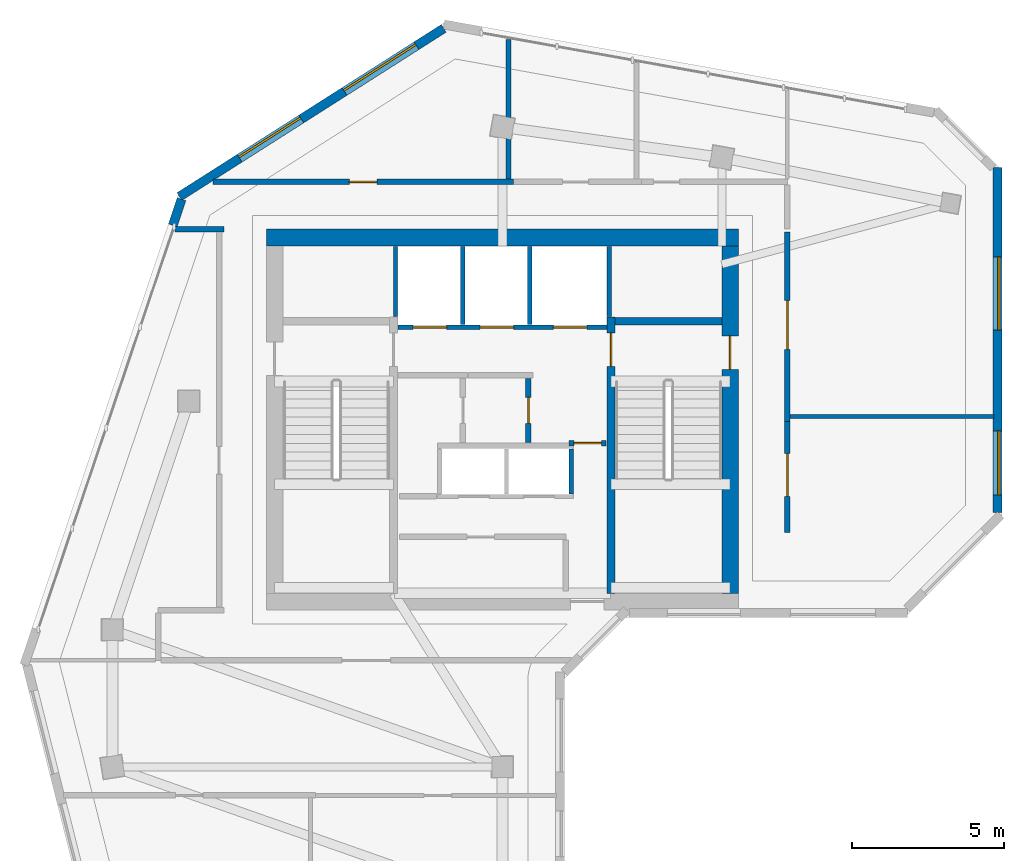
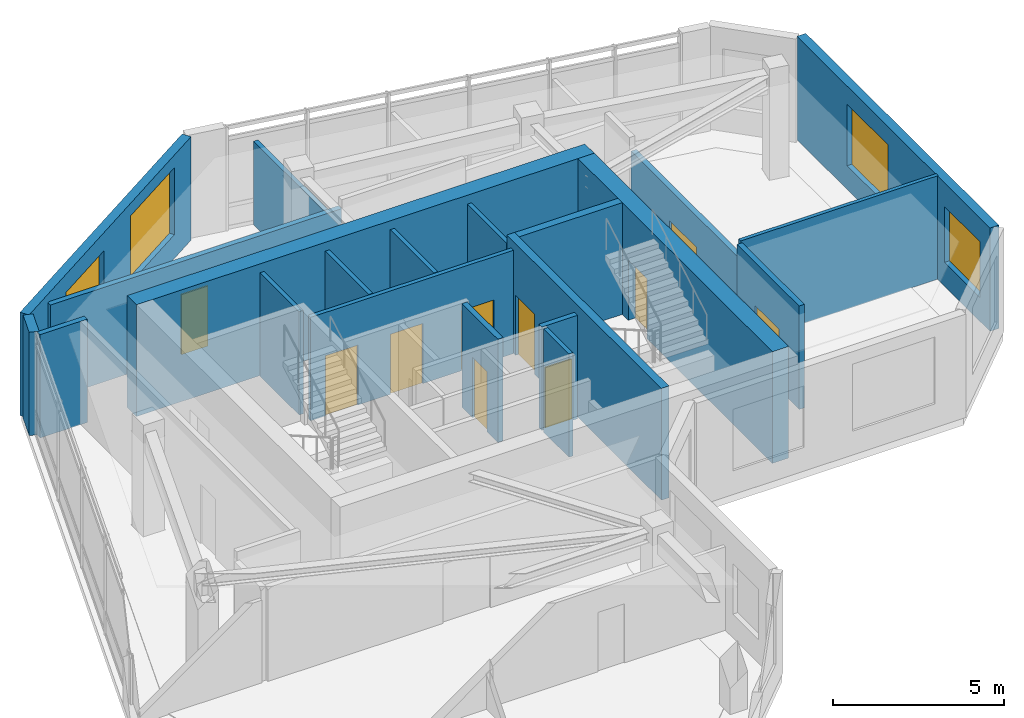
# One storey, part 4 of 8: 21 walls, 10 doors, 4 windows, 14 openings.
"""IFC4 building model written with IfcOpenShell, lengths in metres."""

from ifc_helpers import new_model, si_unit, direction, frame, frame_2d, origin, place, context, subcontext, project, spatial, rectangle, extrude, source, transform, mapped, material, layer, layer_set, type_object, element, fill, save


model = new_model("IFC4")

# Units and contexts
model_context = context("Model", 3, precision=1e-05, world=origin(), true_north=direction((0.0, 1.0)))
body_context = subcontext(model_context, "Body", "Model", "MODEL_VIEW")
ifc_project = project(units=[si_unit("LENGTHUNIT", "METRE"), si_unit("AREAUNIT", "SQUARE_METRE"), si_unit("VOLUMEUNIT", "CUBIC_METRE"), si_unit("PLANEANGLEUNIT", "RADIAN"), si_unit("MASSUNIT", "GRAM", prefix="KILO")], contexts=[model_context])

# Site, building, storey
site_placement = place(None, origin())
site = spatial("IfcSite", under=ifc_project, at=site_placement, CompositionType="ELEMENT")
building_placement = place(site_placement, origin())
building = spatial("IfcBuilding", under=site, at=building_placement, Name="Calvemar Wedge Station Tower", CompositionType="ELEMENT")
storey_placement = place(building_placement, frame((0.0, 0.0, 300.5)))
storey = spatial("IfcBuildingStorey", under=building, at=storey_placement, Name="L77", CompositionType="ELEMENT", Elevation=300.5)

# Wall, opening, door
ifc_material_1 = material(Name="Concrete C50", Category="concrete")
ifc_layer_1 = layer(ifc_material_1, 0.260009765625)
ifc_layer_set_1 = layer_set([ifc_layer_1], Name="Concrete C50")
wall_type_1 = type_object("IfcWallType", Name="SW-CORE-260", PredefinedType="SHEAR", material=ifc_layer_set_1)
wall_1_placement = place(storey_placement, frame((27.3701171875, 34.199951171875, 0.0), z_axis=(0.0, 0.0, 1.0), x_axis=(0.0, 1.0, 0.0)))
wall_1 = element("IfcWall", 1, at=wall_1_placement, inside=storey, type_object=wall_type_1, Name="Storey L77 Core Shear Wall SPINE-E", PredefinedType="SHEAR", context=body_context, shape_type="SweptSolid", body=[
    extrude(rectangle(XDim=9.06005859375, YDim=0.260009765625, at=frame_2d((4.530029296875, 0.0))), origin(), (0.0, 0.0, 1.0), 4.0),
])
shared_shape_1 = source(origin(), body_context, "Body", "SweptSolid", [
    extrude(rectangle(XDim=1.10009765625, YDim=2.14990234375, at=frame_2d((0.550048828125, 1.074951171875))), frame((0.0, 0.14013671875, 0.0), z_axis=(0.0, -1.0, 0.0), x_axis=(1.0, 0.0, 0.0)), (0.0, 0.0, 1.0), 0.280029296875),
])
opening_1_placement = place(wall_1_placement, frame((7.449951171875, 0.0, 0.0)))
opening_1 = element("IfcOpeningElement", 2, at=opening_1_placement, cuts=wall_1, Name="Opening FD-90", PredefinedType="OPENING", context=body_context, shape_type="MappedRepresentation", body=[
    mapped(shared_shape_1, transform((0.0, 0.0, 0.0), scale=1.0)),
])
ifc_material_2 = material(Name="Galvanized fire-rated steel door leaf P-90", Category="steel")
door_type_1 = type_object("IfcDoorType", Name="DR-FD90-1100", OperationType="NOTDEFINED", PredefinedType="DOOR", material=ifc_material_2)
shared_shape_2 = source(origin(), body_context, "Body", "SweptSolid", [
    extrude(rectangle(XDim=1.10009765625, YDim=2.14990234375, at=frame_2d((0.550048828125, 1.074951171875))), frame((0.0, 0.02490234375, 0.0), z_axis=(0.0, -1.0, 0.0), x_axis=(1.0, 0.0, 0.0)), (0.0, 0.0, 1.0), 0.050048828125),
])
door_1_placement = place(opening_1_placement, origin())
door_1 = element("IfcDoor", 3, at=door_1_placement, inside=storey, type_object=door_type_1, Name="L77 FF Lobby to Stair ST-C2 Door", OperationType="SINGLE_SWING_RIGHT", OverallHeight=2.14990234375, OverallWidth=1.10009765625, PredefinedType="DOOR", context=body_context, shape_type="MappedRepresentation", body=[
    mapped(shared_shape_2, transform((0.0, 0.0, 0.0), scale=1.0)),
])
fill(opening_1, door_1)

# Walls
wall_2_placement = place(storey_placement, frame((27.5, 43.1298828125, 0.0), z_axis=(0.0, 0.0, 1.0), x_axis=(1.0, 0.0, 0.0)))
element("IfcWall", 4, at=wall_2_placement, inside=storey, type_object=wall_type_1, Name="Storey L77 Core Shear Wall STC2-N", PredefinedType="SHEAR", context=body_context, shape_type="SweptSolid", body=[
    extrude(rectangle(XDim=3.5, YDim=0.260009765625, at=frame_2d((1.75, 0.0))), origin(), (0.0, 0.0, 1.0), 4.0),
])
ifc_material_3 = material(Name="Concrete C60", Category="concrete")
ifc_layer_2 = layer(ifc_material_3, 0.550048828125)
ifc_layer_set_2 = layer_set([ifc_layer_2], Name="Concrete C60")
wall_type_2 = type_object("IfcWallType", Name="SW-CORE-550", PredefinedType="SHEAR", material=ifc_layer_set_2)
wall_3_placement = place(storey_placement, frame((16.050048828125, 45.875, 0.0), z_axis=(0.0, 0.0, 1.0), x_axis=(1.0, 0.0, 0.0)))
element("IfcWall", 5, at=wall_3_placement, inside=storey, type_object=wall_type_2, Name="Storey L77 Core Shear Wall N", PredefinedType="SHEAR", context=body_context, shape_type="SweptSolid", body=[
    extrude(rectangle(XDim=15.5, YDim=0.550048828125, at=frame_2d((7.75, 0.0))), origin(), (0.0, 0.0, 1.0), 4.0),
])

# Wall, opening, door
wall_4_placement = place(storey_placement, frame((31.27490234375, 34.199951171875, 0.0), z_axis=(0.0, 0.0, 1.0), x_axis=(0.0, 1.0, 0.0)))
wall_4 = element("IfcWall", 6, at=wall_4_placement, inside=storey, type_object=wall_type_2, Name="Storey L77 Core Shear Wall E", PredefinedType="SHEAR", context=body_context, shape_type="SweptSolid", body=[
    extrude(rectangle(XDim=11.400146484375, YDim=0.550048828125, at=frame_2d((5.7001953125, 0.0))), origin(), (0.0, 0.0, 1.0), 4.0),
])
shared_shape_3 = source(origin(), body_context, "Body", "SweptSolid", [
    extrude(rectangle(XDim=1.10009765625, YDim=2.14990234375, at=frame_2d((0.550048828125, 1.074951171875))), frame((0.0, 0.28515625, 0.0), z_axis=(0.0, -1.0, 0.0), x_axis=(1.0, 0.0, 0.0)), (0.0, 0.0, 1.0), 0.570068359375),
])
opening_2_placement = place(wall_4_placement, frame((7.35009765625, 0.0, 0.0)))
opening_2 = element("IfcOpeningElement", 7, at=opening_2_placement, cuts=wall_4, Name="Opening FD-90", PredefinedType="OPENING", context=body_context, shape_type="MappedRepresentation", body=[
    mapped(shared_shape_3, transform((0.0, 0.0, 0.0), scale=1.0)),
])
door_2_placement = place(opening_2_placement, origin())
door_2 = element("IfcDoor", 8, at=door_2_placement, inside=storey, type_object=door_type_1, Name="L77 East Corridor to Exit Stair ST-C2 Door", OperationType="SINGLE_SWING_RIGHT", OverallHeight=2.14990234375, OverallWidth=1.10009765625, PredefinedType="DOOR", context=body_context, shape_type="MappedRepresentation", body=[
    mapped(shared_shape_2, transform((0.0, 0.0, 0.0), scale=1.0)),
])
fill(opening_2, door_2)

ifc_material_4 = material(Name="Double-stud fire-rated corridor partition")
ifc_layer_3 = layer(ifc_material_4, 0.179931640625)
ifc_layer_set_3 = layer_set([ifc_layer_3], Name="Double-stud fire-rated corridor partition")
wall_type_3 = type_object("IfcWallType", Name="W-CORR-180", PredefinedType="PARTITIONING", material=ifc_layer_set_3)
wall_5_placement = place(storey_placement, frame((24.64990234375, 41.256103515625, 0.0), z_axis=(0.0, 0.0, 1.0), x_axis=(0.0, -1.0, 0.0)))
wall_5 = element("IfcWall", 9, at=wall_5_placement, inside=storey, type_object=wall_type_3, Name="Storey L77 Interior Partition WL-L77-005", PredefinedType="PARTITIONING", context=body_context, shape_type="SweptSolid", body=[
    extrude(rectangle(XDim=2.106201171875, YDim=0.179931640625, at=frame_2d((1.05322265625, 0.0))), origin(), (0.0, 0.0, 1.0), 3.699951171875),
])
shared_shape_4 = source(origin(), body_context, "Body", "SweptSolid", [
    extrude(rectangle(XDim=0.85009765625, YDim=2.14990234375, at=frame_2d((0.425048828125, 1.074951171875))), frame((0.0, 0.10009765625, 0.0), z_axis=(0.0, -1.0, 0.0), x_axis=(1.0, 0.0, 0.0)), (0.0, 0.0, 1.0), 0.199951171875),
])
opening_3_placement = place(wall_5_placement, frame((0.6279296875, 0.0, 0.0)))
opening_3 = element("IfcOpeningElement", 10, at=opening_3_placement, cuts=wall_5, Name="Opening FD-60S", PredefinedType="OPENING", context=body_context, shape_type="MappedRepresentation", body=[
    mapped(shared_shape_4, transform((0.0, 0.0, 0.0), scale=1.0)),
])
ifc_material_5 = material(Name="Fire-rated steel and hardwood service door EI 60", Category="steel")
door_type_2 = type_object("IfcDoorType", Name="DR-CORE-FD60-850", OperationType="NOTDEFINED", PredefinedType="DOOR", material=ifc_material_5)
shared_shape_5 = source(origin(), body_context, "Body", "SweptSolid", [
    extrude(rectangle(XDim=0.85009765625, YDim=2.14990234375, at=frame_2d((0.425048828125, 1.074951171875))), frame((0.0, 0.02490234375, 0.0), z_axis=(0.0, -1.0, 0.0), x_axis=(1.0, 0.0, 0.0)), (0.0, 0.0, 1.0), 0.050048828125),
])
door_3_placement = place(opening_3_placement, origin())
door_3 = element("IfcDoor", 11, at=door_3_placement, inside=storey, type_object=door_type_2, Name="L77 Core Equipment Store Door", OperationType="SINGLE_SWING_LEFT", OverallHeight=2.14990234375, OverallWidth=0.85009765625, PredefinedType="DOOR", context=body_context, shape_type="MappedRepresentation", body=[
    mapped(shared_shape_5, transform((0.0, 0.0, 0.0), scale=1.0)),
])
fill(opening_3, door_3)

wall_6_placement = place(storey_placement, frame((27.199951171875, 39.1298828125, 0.0), z_axis=(0.0, 0.0, 1.0), x_axis=(-1.0, 0.0, 0.0)))
wall_6 = element("IfcWall", 12, at=wall_6_placement, inside=storey, type_object=wall_type_3, Name="Storey L77 Interior Partition WL-L77-006", PredefinedType="PARTITIONING", context=body_context, shape_type="SweptSolid", body=[
    extrude(rectangle(XDim=1.2099609375, YDim=0.179931640625, at=frame_2d((0.60498046875, 0.0))), origin(), (0.0, 0.0, 1.0), 3.699951171875),
])
shared_shape_6 = source(origin(), body_context, "Body", "SweptSolid", [
    extrude(rectangle(XDim=0.89990234375, YDim=2.14990234375, at=frame_2d((0.449951171875, 1.074951171875))), frame((0.0, 0.10009765625, 0.0), z_axis=(0.0, -1.0, 0.0), x_axis=(1.0, 0.0, 0.0)), (0.0, 0.0, 1.0), 0.199951171875),
])
opening_4_placement = place(wall_6_placement, frame((0.155029296875, 0.0, 0.0)))
opening_4 = element("IfcOpeningElement", 13, at=opening_4_placement, cuts=wall_6, Name="Opening FD-60", PredefinedType="OPENING", context=body_context, shape_type="MappedRepresentation", body=[
    mapped(shared_shape_6, transform((0.0, 0.0, 0.0), scale=1.0)),
])
ifc_material_6 = material(Name="Fire-rated acoustic timber-core entrance door EI 60", Category="wood")
door_type_3 = type_object("IfcDoorType", Name="DR-FD60-900", OperationType="NOTDEFINED", PredefinedType="DOOR", material=ifc_material_6)
shared_shape_7 = source(origin(), body_context, "Body", "SweptSolid", [
    extrude(rectangle(XDim=0.89990234375, YDim=2.14990234375, at=frame_2d((0.449951171875, 1.074951171875))), frame((0.0, 0.02490234375, 0.0), z_axis=(0.0, -1.0, 0.0), x_axis=(1.0, 0.0, 0.0)), (0.0, 0.0, 1.0), 0.050048828125),
])
door_4_placement = place(opening_4_placement, origin())
door_4 = element("IfcDoor", 14, at=door_4_placement, inside=storey, type_object=door_type_3, Name="L77 Core Service Lobby Door", OperationType="SINGLE_SWING_RIGHT", OverallHeight=2.14990234375, OverallWidth=0.89990234375, PredefinedType="DOOR", context=body_context, shape_type="MappedRepresentation", body=[
    mapped(shared_shape_7, transform((0.0, 0.0, 0.0), scale=1.0)),
])
fill(opening_4, door_4)

# Wall
wall_7_placement = place(storey_placement, frame((14.659912109375, 46.14990234375, 0.0), z_axis=(0.0, 0.0, 1.0), x_axis=(-1.0, 0.0, 0.0)))
element("IfcWall", 15, at=wall_7_placement, inside=storey, type_object=wall_type_3, Name="Storey L77 Interior Partition WL-L77-013", PredefinedType="PARTITIONING", context=body_context, shape_type="SweptSolid", body=[
    extrude(rectangle(XDim=1.602294921875, YDim=0.179931640625, at=frame_2d((0.80126953125, 0.0))), origin(), (0.0, 0.0, 1.0), 3.699951171875),
])

# Wall, opening, door
wall_8_placement = place(storey_placement, frame((14.29541015625, 47.699951171875, 0.0), z_axis=(0.0, 0.0, 1.0), x_axis=(1.0, 0.0, 0.0)))
wall_8 = element("IfcWall", 16, at=wall_8_placement, inside=storey, type_object=wall_type_3, Name="Storey L77 Interior Partition WL-L77-014", PredefinedType="PARTITIONING", context=body_context, shape_type="SweptSolid", body=[
    extrude(rectangle(XDim=9.864501953125, YDim=0.179931640625, at=frame_2d((4.93212890625, 0.0))), origin(), (0.0, 0.0, 1.0), 3.384033203125),
])
opening_5_placement = place(wall_8_placement, frame((4.482421875, 0.0, 0.0)))
opening_5 = element("IfcOpeningElement", 17, at=opening_5_placement, cuts=wall_8, Name="Opening D-01", PredefinedType="OPENING", context=body_context, shape_type="MappedRepresentation", body=[
    mapped(shared_shape_6, transform((0.0, 0.0, 0.0), scale=1.0)),
])
ifc_material_7 = material(Name="Architectural hardwood acoustic swing door", Category="wood")
door_type_4 = type_object("IfcDoorType", Name="DR-INT-900", OperationType="NOTDEFINED", PredefinedType="DOOR", material=ifc_material_7)
shared_shape_8 = source(origin(), body_context, "Body", "SweptSolid", [
    extrude(rectangle(XDim=0.89990234375, YDim=2.14990234375, at=frame_2d((0.449951171875, 1.074951171875))), frame((0.0, 0.02490234375, 0.0), z_axis=(0.0, -1.0, 0.0), x_axis=(1.0, 0.0, 0.0)), (0.0, 0.0, 1.0), 0.050048828125),
])
door_5_placement = place(opening_5_placement, origin())
door_5 = element("IfcDoor", 18, at=door_5_placement, inside=storey, type_object=door_type_4, Name="L77 Summit VIP Boardroom Door", OperationType="SINGLE_SWING_LEFT", OverallHeight=2.14990234375, OverallWidth=0.89990234375, PredefinedType="DOOR", context=body_context, shape_type="MappedRepresentation", body=[
    mapped(shared_shape_8, transform((0.0, 0.0, 0.0), scale=1.0)),
])
fill(opening_5, door_5)

wall_9_placement = place(storey_placement, frame((33.14990234375, 46.055908203125, 0.0), z_axis=(0.0, 0.0, 1.0), x_axis=(0.0, -1.0, 0.0)))
wall_9 = element("IfcWall", 19, at=wall_9_placement, inside=storey, type_object=wall_type_3, Name="Storey L77 Interior Partition WL-L77-018", PredefinedType="PARTITIONING", context=body_context, shape_type="SweptSolid", body=[
    extrude(rectangle(XDim=6.2158203125, YDim=0.179931640625, at=frame_2d((3.10791015625, 0.0))), origin(), (0.0, 0.0, 1.0), 3.27197265625),
])
shared_shape_9 = source(origin(), body_context, "Body", "SweptSolid", [
    extrude(rectangle(XDim=1.60009765625, YDim=2.14990234375, at=frame_2d((0.800048828125, 1.074951171875))), frame((0.0, 0.10009765625, 0.0), z_axis=(0.0, -1.0, 0.0), x_axis=(1.0, 0.0, 0.0)), (0.0, 0.0, 1.0), 0.199951171875),
])
opening_6_placement = place(wall_9_placement, frame((2.24658203125, 0.0, 0.0)))
opening_6 = element("IfcOpeningElement", 20, at=opening_6_placement, cuts=wall_9, Name="Opening DD-160", PredefinedType="OPENING", context=body_context, shape_type="MappedRepresentation", body=[
    mapped(shared_shape_9, transform((0.0, 0.0, 0.0), scale=1.0)),
])
ifc_material_8 = material(Name="Double-leaf fire-rated lobby door EI 60")
door_type_5 = type_object("IfcDoorType", Name="DR-DBL-1600", OperationType="DOUBLE_DOOR_SINGLE_SWING", PredefinedType="DOOR", material=ifc_material_8)
shared_shape_10 = source(origin(), body_context, "Body", "SweptSolid", [
    extrude(rectangle(XDim=1.60009765625, YDim=2.14990234375, at=frame_2d((0.800048828125, 1.074951171875))), frame((0.0, 0.02490234375, 0.0), z_axis=(0.0, -1.0, 0.0), x_axis=(1.0, 0.0, 0.0)), (0.0, 0.0, 1.0), 0.050048828125),
])
door_6_placement = place(opening_6_placement, origin())
door_6 = element("IfcDoor", 21, at=door_6_placement, inside=storey, type_object=door_type_5, Name="L77 Atlantic Summit Observatory Gallery Door", OperationType="SINGLE_SWING_RIGHT", OverallHeight=2.14990234375, OverallWidth=1.60009765625, PredefinedType="DOOR", context=body_context, shape_type="MappedRepresentation", body=[
    mapped(shared_shape_10, transform((0.0, 0.0, 0.0), scale=1.0)),
])
fill(opening_6, door_6)

wall_10_placement = place(storey_placement, frame((33.14990234375, 39.837890625, 0.0), z_axis=(0.0, 0.0, 1.0), x_axis=(0.0, -1.0, 0.0)))
wall_10 = element("IfcWall", 22, at=wall_10_placement, inside=storey, type_object=wall_type_3, Name="Storey L77 Interior Partition WL-L77-019", PredefinedType="PARTITIONING", context=body_context, shape_type="SweptSolid", body=[
    extrude(rectangle(XDim=3.637939453125, YDim=0.179931640625, at=frame_2d((1.81884765625, 0.0))), origin(), (0.0, 0.0, 1.0), 3.699951171875),
])
shared_shape_11 = source(origin(), body_context, "Body", "SweptSolid", [
    extrude(rectangle(XDim=1.39990234375, YDim=2.14990234375, at=frame_2d((0.699951171875, 1.074951171875))), frame((0.0, 0.10009765625, 0.0), z_axis=(0.0, -1.0, 0.0), x_axis=(1.0, 0.0, 0.0)), (0.0, 0.0, 1.0), 0.199951171875),
])
opening_7_placement = place(wall_10_placement, frame((1.054443359375, 0.0, 0.0)))
opening_7 = element("IfcOpeningElement", 23, at=opening_7_placement, cuts=wall_10, Name="Opening DD-140", PredefinedType="OPENING", context=body_context, shape_type="MappedRepresentation", body=[
    mapped(shared_shape_11, transform((0.0, 0.0, 0.0), scale=1.0)),
])
ifc_material_9 = material(Name="Double-leaf corridor acoustic fire door EI 60")
door_type_6 = type_object("IfcDoorType", Name="DR-DBL-1400", OperationType="DOUBLE_DOOR_SINGLE_SWING", PredefinedType="DOOR", material=ifc_material_9)
shared_shape_12 = source(origin(), body_context, "Body", "SweptSolid", [
    extrude(rectangle(XDim=1.39990234375, YDim=2.14990234375, at=frame_2d((0.699951171875, 1.074951171875))), frame((0.0, 0.02490234375, 0.0), z_axis=(0.0, -1.0, 0.0), x_axis=(1.0, 0.0, 0.0)), (0.0, 0.0, 1.0), 0.050048828125),
])
door_7_placement = place(opening_7_placement, origin())
door_7 = element("IfcDoor", 24, at=door_7_placement, inside=storey, type_object=door_type_6, Name="L77 Observatory Exhibition Shop Door", OperationType="SINGLE_SWING_LEFT", OverallHeight=2.14990234375, OverallWidth=1.39990234375, PredefinedType="DOOR", context=body_context, shape_type="MappedRepresentation", body=[
    mapped(shared_shape_12, transform((0.0, 0.0, 0.0), scale=1.0)),
])
fill(opening_7, door_7)

# Wall, openings, windows
ifc_material_10 = material(Name="Precast concrete C45", Category="concrete")
ifc_layer_4 = layer(ifc_material_10, 0.300048828125)
ifc_layer_set_4 = layer_set([ifc_layer_4], Name="Precast concrete C45")
wall_type_4 = type_object("IfcWallType", Name="W-EXT-GFRC-300", PredefinedType="SOLIDWALL", material=ifc_layer_set_4)
wall_11_placement = place(storey_placement, frame((40.050048828125, 36.857421875, 0.0), z_axis=(0.0, 0.0, 1.0), x_axis=(0.0, 1.0, 0.0)))
wall_11 = element("IfcWall", 25, at=wall_11_placement, inside=storey, type_object=wall_type_4, Name="Storey L77 Bronze GFRC Exterior Wall 8", PredefinedType="SOLIDWALL", context=body_context, shape_type="SweptSolid", body=[
    extrude(rectangle(XDim=11.318359375, YDim=0.300048828125, at=frame_2d((5.6591796875, 0.0))), origin(), (0.0, 0.0, 1.0), 3.699951171875),
])
shared_shape_13 = source(origin(), body_context, "Body", "SweptSolid", [
    extrude(rectangle(XDim=2.10009765625, YDim=2.0, at=frame_2d((1.050048828125, 1.0))), frame((0.0, 0.16015625, 0.0), z_axis=(0.0, -1.0, 0.0), x_axis=(1.0, 0.0, 0.0)), (0.0, 0.0, 1.0), 0.320068359375),
])
opening_8_placement = place(wall_11_placement, frame((0.571044921875, 0.0, 0.85009765625)))
opening_8 = element("IfcOpeningElement", 26, at=opening_8_placement, cuts=wall_11, Name="Opening W4", PredefinedType="OPENING", context=body_context, shape_type="MappedRepresentation", body=[
    mapped(shared_shape_13, transform((0.0, 0.0, 0.0), scale=1.0)),
])
shared_shape_14 = source(origin(), body_context, "Body", "SweptSolid", [
    extrude(rectangle(XDim=2.39990234375, YDim=2.199951171875, at=frame_2d((1.199951171875, 1.10009765625))), frame((0.0, 0.16015625, 0.0), z_axis=(0.0, -1.0, 0.0), x_axis=(1.0, 0.0, 0.0)), (0.0, 0.0, 1.0), 0.320068359375),
])
opening_9_placement = place(wall_11_placement, frame((5.98095703125, 0.0, 0.85009765625)))
opening_9 = element("IfcOpeningElement", 27, at=opening_9_placement, cuts=wall_11, Name="Opening W1", PredefinedType="OPENING", context=body_context, shape_type="MappedRepresentation", body=[
    mapped(shared_shape_14, transform((0.0, 0.0, 0.0), scale=1.0)),
])
ifc_material_11 = material(Name="Low-E laminated insulated glass", Category="glass")
window_type_1 = type_object("IfcWindowType", Name="WIN-EXT-4", PartitioningType="SINGLE_PANEL", PredefinedType="WINDOW", material=ifc_material_11)
shared_shape_15 = source(origin(), body_context, "Body", "SweptSolid", [
    extrude(rectangle(XDim=2.10009765625, YDim=2.0, at=frame_2d((1.050048828125, 1.0))), frame((0.0, -0.014892578125, 0.0), z_axis=(0.0, -1.0, 0.0), x_axis=(1.0, 0.0, 0.0)), (0.0, 0.0, 1.0), 0.06005859375),
])
window_1_placement = place(opening_8_placement, origin())
window_1 = element("IfcWindow", 28, at=window_1_placement, inside=storey, type_object=window_type_1, Name="Storey L77 Recessed Window 8.1", OverallHeight=2.0, OverallWidth=2.10009765625, PartitioningType="SINGLE_PANEL", PredefinedType="WINDOW", context=body_context, shape_type="MappedRepresentation", body=[
    mapped(shared_shape_15, transform((0.0, 0.0, 0.0), scale=1.0)),
])
fill(opening_8, window_1)
window_type_2 = type_object("IfcWindowType", Name="WIN-EXT-1", PartitioningType="SINGLE_PANEL", PredefinedType="WINDOW", material=ifc_material_11)
shared_shape_16 = source(origin(), body_context, "Body", "SweptSolid", [
    extrude(rectangle(XDim=2.39990234375, YDim=2.199951171875, at=frame_2d((1.199951171875, 1.10009765625))), frame((0.0, -0.014892578125, 0.0), z_axis=(0.0, -1.0, 0.0), x_axis=(1.0, 0.0, 0.0)), (0.0, 0.0, 1.0), 0.06005859375),
])
window_2_placement = place(opening_9_placement, origin())
window_2 = element("IfcWindow", 29, at=window_2_placement, inside=storey, type_object=window_type_2, Name="Storey L77 Recessed Window 8.2", OverallHeight=2.199951171875, OverallWidth=2.39990234375, PartitioningType="SINGLE_PANEL", PredefinedType="WINDOW", context=body_context, shape_type="MappedRepresentation", body=[
    mapped(shared_shape_16, transform((0.0, 0.0, 0.0), scale=1.0)),
])
fill(opening_9, window_2)

wall_12_placement = place(storey_placement, frame((21.872802734375, 52.7412109375, 0.0), z_axis=(0.0, 0.0, 1.0), x_axis=(-0.843661487732, -0.536875492193, 0.0)))
wall_12 = element("IfcWall", 30, at=wall_12_placement, inside=storey, type_object=wall_type_4, Name="Storey L77 Bronze GFRC Exterior Wall 11", PredefinedType="SOLIDWALL", context=body_context, shape_type="SweptSolid", body=[
    extrude(rectangle(XDim=10.28173828125, YDim=0.300048828125, at=frame_2d((5.140869140625, 0.0))), origin(), (0.0, 0.0, 1.0), 3.699951171875),
])
shared_shape_17 = source(origin(), body_context, "Body", "SweptSolid", [
    extrude(rectangle(XDim=2.800048828125, YDim=2.39990234375, at=frame_2d((1.39990234375, 1.199951171875))), frame((0.0, 0.16015625, 0.0), z_axis=(0.0, -1.0, 0.0), x_axis=(1.0, 0.0, 0.0)), (0.0, 0.0, 1.0), 0.320068359375),
])
opening_10_placement = place(wall_12_placement, frame((1.06005859375, 0.0, 0.85009765625)))
opening_10 = element("IfcOpeningElement", 31, at=opening_10_placement, cuts=wall_12, Name="Opening W6", PredefinedType="OPENING", context=body_context, shape_type="MappedRepresentation", body=[
    mapped(shared_shape_17, transform((0.0, 0.0, 0.0), scale=1.0)),
])
opening_11_placement = place(wall_12_placement, frame((5.5390625, 0.0, 0.85009765625)))
opening_11 = element("IfcOpeningElement", 32, at=opening_11_placement, cuts=wall_12, Name="Opening W1", PredefinedType="OPENING", context=body_context, shape_type="MappedRepresentation", body=[
    mapped(shared_shape_14, transform((0.0, 0.0, 0.0), scale=1.0)),
])
window_type_3 = type_object("IfcWindowType", Name="WIN-EXT-6", PartitioningType="SINGLE_PANEL", PredefinedType="WINDOW", material=ifc_material_11)
shared_shape_18 = source(origin(), body_context, "Body", "SweptSolid", [
    extrude(rectangle(XDim=2.800048828125, YDim=2.39990234375, at=frame_2d((1.39990234375, 1.199951171875))), frame((0.0, -0.014892578125, 0.0), z_axis=(0.0, -1.0, 0.0), x_axis=(1.0, 0.0, 0.0)), (0.0, 0.0, 1.0), 0.06005859375),
])
window_3_placement = place(opening_10_placement, origin())
window_3 = element("IfcWindow", 33, at=window_3_placement, inside=storey, type_object=window_type_3, Name="Storey L77 Recessed Window 11.1", OverallHeight=2.39990234375, OverallWidth=2.800048828125, PartitioningType="SINGLE_PANEL", PredefinedType="WINDOW", context=body_context, shape_type="MappedRepresentation", body=[
    mapped(shared_shape_18, transform((0.0, 0.0, 0.0), scale=1.0)),
])
fill(opening_10, window_3)
window_4_placement = place(opening_11_placement, origin())
window_4 = element("IfcWindow", 34, at=window_4_placement, inside=storey, type_object=window_type_2, Name="Storey L77 Recessed Window 11.2", OverallHeight=2.199951171875, OverallWidth=2.39990234375, PartitioningType="SINGLE_PANEL", PredefinedType="WINDOW", context=body_context, shape_type="MappedRepresentation", body=[
    mapped(shared_shape_16, transform((0.0, 0.0, 0.0), scale=1.0)),
])
fill(opening_11, window_4)

# Wall
wall_13_placement = place(storey_placement, frame((13.2685546875, 47.1337890625, 0.0), z_axis=(0.0, 0.0, 1.0), x_axis=(-0.31995770778, -0.947431826166, 0.0)))
element("IfcWall", 35, at=wall_13_placement, inside=storey, type_object=wall_type_4, Name="Storey L77 Bronze GFRC Corner Pier 12A", PredefinedType="SOLIDWALL", context=body_context, shape_type="SweptSolid", body=[
    extrude(rectangle(XDim=0.902587890625, YDim=0.300048828125, at=frame_2d((0.451171875, 0.0))), origin(), (0.0, 0.0, 1.0), 3.699951171875),
])

# Wall, openings, doors
ifc_material_12 = material(Name="Reinforced concrete blockwork lift shaft wall", Category="masonry")
ifc_layer_5 = layer(ifc_material_12, 0.139892578125)
ifc_layer_set_5 = layer_set([ifc_layer_5], Name="Reinforced concrete blockwork lift shaft wall")
wall_type_5 = type_object("IfcWallType", Name="W-LIFT-160", PredefinedType="SOLIDWALL", material=ifc_layer_set_5)
wall_14_placement = place(storey_placement, frame((20.3701171875, 42.929931640625, 0.0), z_axis=(0.0, 0.0, 1.0), x_axis=(1.0, 0.0, 0.0)))
wall_14 = element("IfcWall", 36, at=wall_14_placement, inside=storey, type_object=wall_type_5, Name="Storey L77 Firefighting and Service Lift Shaft Front Wall", PredefinedType="SOLIDWALL", context=body_context, shape_type="SweptSolid", body=[
    extrude(rectangle(XDim=6.85986328125, YDim=0.139892578125, at=frame_2d((3.429931640625, 0.0))), origin(), (0.0, 0.0, 1.0), 3.699951171875),
])
shared_shape_19 = source(origin(), body_context, "Body", "SweptSolid", [
    extrude(rectangle(XDim=1.10009765625, YDim=2.14990234375, at=frame_2d((0.550048828125, 1.074951171875))), frame((0.0, 0.080078125, 0.0), z_axis=(0.0, -1.0, 0.0), x_axis=(1.0, 0.0, 0.0)), (0.0, 0.0, 1.0), 0.159912109375),
])
opening_12_placement = place(wall_14_placement, frame((0.5, 0.0, 0.0)))
opening_12 = element("IfcOpeningElement", 37, at=opening_12_placement, cuts=wall_14, Name="Opening LD-FF", PredefinedType="OPENING", context=body_context, shape_type="MappedRepresentation", body=[
    mapped(shared_shape_19, transform((0.0, 0.0, 0.0), scale=1.0)),
])
opening_13_placement = place(wall_14_placement, frame((2.699951171875, 0.0, 0.0)))
opening_13 = element("IfcOpeningElement", 38, at=opening_13_placement, cuts=wall_14, Name="Opening LD-FF", PredefinedType="OPENING", context=body_context, shape_type="MappedRepresentation", body=[
    mapped(shared_shape_19, transform((0.0, 0.0, 0.0), scale=1.0)),
])
opening_14_placement = place(wall_14_placement, frame((5.10009765625, 0.0, 0.0)))
opening_14 = element("IfcOpeningElement", 39, at=opening_14_placement, cuts=wall_14, Name="Opening LD-STN", PredefinedType="OPENING", context=body_context, shape_type="MappedRepresentation", body=[
    mapped(shared_shape_19, transform((0.0, 0.0, 0.0), scale=1.0)),
])
ifc_material_13 = material(Name="Stainless steel firefighting lift sliding landing door", Category="steel")
door_type_7 = type_object("IfcDoorType", Name="DR-LD-FF-1100", OperationType="SLIDING_TO_LEFT", PredefinedType="DOOR", material=ifc_material_13)
shared_shape_20 = source(origin(), body_context, "Body", "SweptSolid", [
    extrude(rectangle(XDim=1.10009765625, YDim=2.14990234375, at=frame_2d((0.550048828125, 1.074951171875))), frame((0.0, 0.02490234375, 0.0), z_axis=(0.0, -1.0, 0.0), x_axis=(1.0, 0.0, 0.0)), (0.0, 0.0, 1.0), 0.050048828125),
])
door_8_placement = place(opening_12_placement, origin())
door_8 = element("IfcDoor", 40, at=door_8_placement, inside=storey, type_object=door_type_7, Name="L77 Lift FF-01 Sliding Landing Door", OperationType="SLIDING_TO_LEFT", OverallHeight=2.14990234375, OverallWidth=1.10009765625, PredefinedType="DOOR", context=body_context, shape_type="MappedRepresentation", body=[
    mapped(shared_shape_20, transform((0.0, 0.0, 0.0), scale=1.0)),
])
fill(opening_12, door_8)
door_9_placement = place(opening_13_placement, origin())
door_9 = element("IfcDoor", 41, at=door_9_placement, inside=storey, type_object=door_type_7, Name="L77 Lift FF-02 Sliding Landing Door", OperationType="SLIDING_TO_RIGHT", OverallHeight=2.14990234375, OverallWidth=1.10009765625, PredefinedType="DOOR", context=body_context, shape_type="MappedRepresentation", body=[
    mapped(shared_shape_20, transform((0.0, 0.0, 0.0), scale=1.0)),
])
fill(opening_13, door_9)
ifc_material_14 = material(Name="Stainless steel transit lift sliding landing door", Category="steel")
door_type_8 = type_object("IfcDoorType", Name="DR-LD-PAX-1100", OperationType="SLIDING_TO_LEFT", PredefinedType="DOOR", material=ifc_material_14)
shared_shape_21 = source(origin(), body_context, "Body", "SweptSolid", [
    extrude(rectangle(XDim=1.10009765625, YDim=2.14990234375, at=frame_2d((0.550048828125, 1.074951171875))), frame((0.0, 0.02490234375, 0.0), z_axis=(0.0, -1.0, 0.0), x_axis=(1.0, 0.0, 0.0)), (0.0, 0.0, 1.0), 0.050048828125),
])
door_10_placement = place(opening_14_placement, origin())
door_10 = element("IfcDoor", 42, at=door_10_placement, inside=storey, type_object=door_type_8, Name="L77 Lift SV-01 Sliding Landing Door", OperationType="SLIDING_TO_LEFT", OverallHeight=2.14990234375, OverallWidth=1.10009765625, PredefinedType="DOOR", context=body_context, shape_type="MappedRepresentation", body=[
    mapped(shared_shape_21, transform((0.0, 0.0, 0.0), scale=1.0)),
])
fill(opening_14, door_10)

# Walls
for number, where, z_axis, x_axis, name in (
    (43, (20.2900390625, 43.280029296875, 0.0), (0.0, 0.0, 1.0), (0.0, 1.0, 0.0), "Storey L77 Firefighting Lift Shaft Enclosure Wall W"),
    (44, (27.31005859375, 43.280029296875, 0.0), (0.0, 0.0, 1.0), (0.0, 1.0, 0.0), "Storey L77 Firefighting Lift Shaft Enclosure Wall E"),
):
    element("IfcWall", number, at=place(storey_placement, frame(where, z_axis=z_axis, x_axis=x_axis)), inside=storey, type_object=wall_type_5, Name=name, PredefinedType="SOLIDWALL", context=body_context, shape_type="SweptSolid", body=[
        extrude(rectangle(XDim=2.300048828125, YDim=0.139892578125, at=frame_2d((1.14990234375, 0.0))), origin(), (0.0, 0.0, 1.0), 3.699951171875),
    ])
for number, where, z_axis, x_axis, name in (
    (45, (22.5, 43.02001953125, 0.0), (0.0, 0.0, 1.0), (0.0, 1.0, 0.0), "Storey L77 Firefighting Lift Shaft Enclosure Wall D1"),
    (46, (24.699951171875, 43.02001953125, 0.0), (0.0, 0.0, 1.0), (0.0, 1.0, 0.0), "Storey L77 Firefighting Lift Shaft Enclosure Wall D2"),
):
    element("IfcWall", number, at=place(storey_placement, frame(where, z_axis=z_axis, x_axis=x_axis)), inside=storey, type_object=wall_type_5, Name=name, PredefinedType="SOLIDWALL", context=body_context, shape_type="SweptSolid", body=[
        extrude(rectangle(XDim=2.56005859375, YDim=0.139892578125, at=frame_2d((1.280029296875, 0.0))), origin(), (0.0, 0.0, 1.0), 3.699951171875),
    ])
wall_15_placement = place(storey_placement, frame((26.06005859375, 37.4599609375, 0.0), z_axis=(0.0, 0.0, 1.0), x_axis=(0.0, 1.0, 0.0)))
element("IfcWall", 47, at=wall_15_placement, inside=storey, type_object=wall_type_5, Name="Storey L77 Upper Passenger Lift Shaft Wall E", PredefinedType="SOLIDWALL", context=body_context, shape_type="SweptSolid", body=[
    extrude(rectangle(XDim=1.47998046875, YDim=0.139892578125, at=frame_2d((0.739990234375, 0.0))), origin(), (0.0, 0.0, 1.0), 3.699951171875),
])
ifc_material_15 = material(Name="Insulated acoustic gypsum stud partition")
ifc_layer_6 = layer(ifc_material_15, 0.125)
ifc_layer_set_6 = layer_set([ifc_layer_6], Name="Insulated acoustic gypsum stud partition")
wall_type_6 = type_object("IfcWallType", Name="W-PART-125", PredefinedType="PARTITIONING", material=ifc_layer_set_6)
wall_16_placement = place(storey_placement, frame((39.93505859375, 40.0, 0.0), z_axis=(0.0, 0.0, 1.0), x_axis=(-1.0, 0.0, 0.0)))
element("IfcWall", 48, at=wall_16_placement, inside=storey, type_object=wall_type_6, Name="Storey L77 Interior Partition WL-L77-024", PredefinedType="PARTITIONING", context=body_context, shape_type="SweptSolid", body=[
    extrude(rectangle(XDim=6.691162109375, YDim=0.125, at=frame_2d((3.345703125, 0.0))), origin(), (0.0, 0.0, 1.0), 3.699951171875),
])
ifc_material_16 = material(Name="Moisture-resistant acoustic bathroom partition")
ifc_layer_7 = layer(ifc_material_16, 0.14990234375)
ifc_layer_set_7 = layer_set([ifc_layer_7], Name="Moisture-resistant acoustic bathroom partition")
wall_type_7 = type_object("IfcWallType", Name="W-WET-150", PredefinedType="PARTITIONING", material=ifc_layer_set_7)
wall_17_placement = place(storey_placement, frame((24.0, 52.37109375, 0.0), z_axis=(0.0, 0.0, 1.0), x_axis=(0.0, -1.0, 0.0)))
element("IfcWall", 49, at=wall_17_placement, inside=storey, type_object=wall_type_7, Name="Storey L77 Interior Partition WL-L77-021", PredefinedType="PARTITIONING", context=body_context, shape_type="SweptSolid", body=[
    extrude(rectangle(XDim=4.5771484375, YDim=0.14990234375, at=frame_2d((2.28857421875, 0.0))), origin(), (0.0, 0.0, 1.0), 2.991943359375),
])

save(model, "model.ifc")
